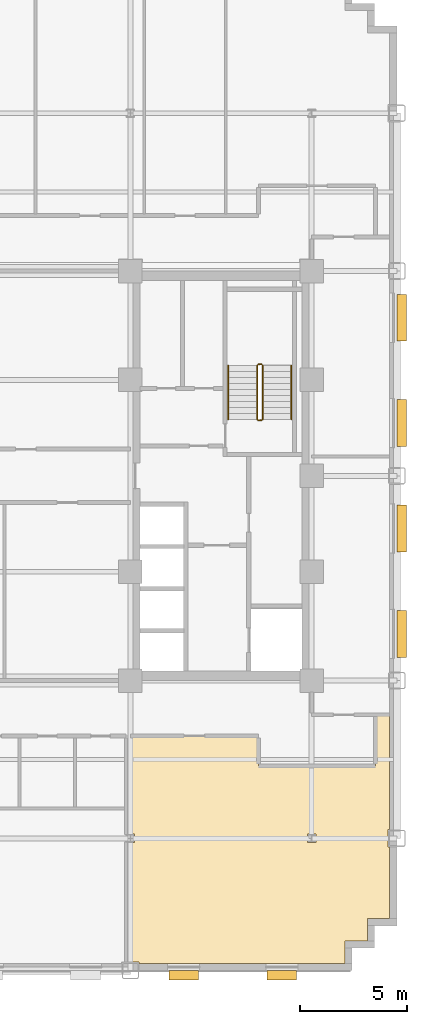
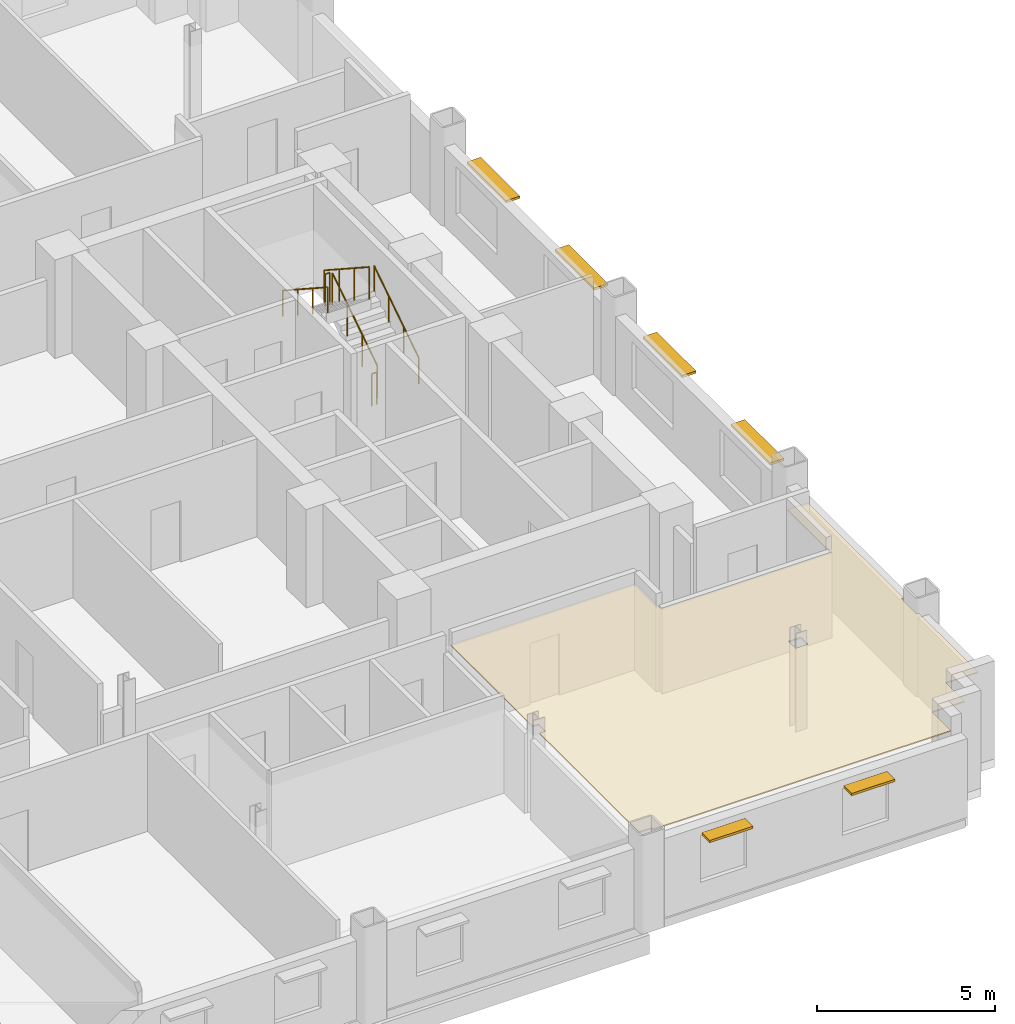
# One storey, part 13 of 14: 6 railings, 6 shading devices, 1 covering.
"""IFC4 building model written with IfcOpenShell, lengths in metres."""

from ifc_helpers import new_model, si_unit, direction, frame, origin, origin_2d, place, context, subcontext, project, spatial, polyline, rectangle, circle, outline, extrude, source, transform, mapped, material, layer, layer_set, type_object, type_shapes, element, save


model = new_model("IFC4")

# Units and contexts
model_context = context("Model", 3, precision=1e-05, world=origin(), true_north=direction((0.0, 1.0)))
body_context = subcontext(model_context, "Body", "Model", "MODEL_VIEW")
ifc_project = project(units=[si_unit("LENGTHUNIT", "METRE"), si_unit("AREAUNIT", "SQUARE_METRE"), si_unit("VOLUMEUNIT", "CUBIC_METRE"), si_unit("PLANEANGLEUNIT", "RADIAN"), si_unit("MASSUNIT", "GRAM", prefix="KILO")], contexts=[model_context])

# Site, building, storey
site_placement = place(None, origin())
site = spatial("IfcSite", under=ifc_project, at=site_placement, CompositionType="ELEMENT")
building_placement = place(site_placement, origin())
building = spatial("IfcBuilding", under=site, at=building_placement, Name="Nuvemarco Arch Tower", CompositionType="ELEMENT")
storey_placement = place(building_placement, frame((0.0, 0.0, 67.75)))
storey = spatial("IfcBuildingStorey", under=building, at=storey_placement, Name="L17", CompositionType="ELEMENT", Elevation=67.75)

# Covering
ifc_material_1 = material(Name="Mineral acoustic ceiling tile")
ifc_layer = layer(ifc_material_1, 0.0400390625, Name="COV-ACOUSTIC-CLG")
ifc_layer_set = layer_set([ifc_layer], Name="Mineral acoustic ceiling tile")
covering_type = type_object("IfcCoveringType", Name="COV-ACOUSTIC-CLG", PredefinedType="CEILING", material=ifc_layer_set)
covering_placement = place(storey_placement, frame((0.0, 0.0, 2.85009765625)))
element("IfcCovering", 1, at=covering_placement, inside=storey, type_object=covering_type, Name="L17 suspended acoustic ceiling 1", PredefinedType="CEILING", context=body_context, shape_type="SweptSolid", body=[
    extrude(outline(polyline([(19.06005859375, -22.860107421875), (9.4150390625, -22.860107421875), (9.4150390625, -22.784912109375), (9.0, -22.784912109375), (9.0, -17.195068359375), (9.195068359375, -17.195068359375), (9.195068359375, -16.804931640625), (9.0, -16.804931640625), (9.0, -12.199951171875), (15.0, -12.199951171875), (15.0, -13.60009765625), (20.5, -13.60009765625), (20.5, -11.199951171875), (21.159912109375, -11.199951171875), (21.159912109375, -16.5849609375), (21.0849609375, -16.5849609375), (21.0849609375, -17.4150390625), (21.159912109375, -17.4150390625), (21.159912109375, -20.760009765625), (20.110107421875, -20.760009765625), (20.110107421875, -21.81005859375), (19.06005859375, -21.81005859375), (19.06005859375, -22.860107421875)]), holes=[polyline([(17.695068359375, -17.195068359375), (17.695068359375, -16.804931640625), (17.304931640625, -16.804931640625), (17.304931640625, -17.195068359375), (17.695068359375, -17.195068359375)])]), origin(), (0.0, 0.0, 1.0), 0.039794921875),
])

# Railings
ifc_material_2 = material(Name="Brushed stainless steel handrail", Category="steel")
railing_type_1 = type_object("IfcRailingType", Name="RL-HANDRAIL-900", PredefinedType="HANDRAIL", material=ifc_material_2)
railing_1_placement = place(storey_placement, frame((16.550048828125, 2.64990234375, 0.1826171875)))
element("IfcRailing", 2, at=railing_1_placement, inside=storey, type_object=railing_type_1, Name="L17 ST-2 stair handrail 1", PredefinedType="HANDRAIL", context=body_context, shape_type="SweptSolid", body=[
    extrude(circle(Radius=0.02392578125, at=origin_2d()), frame((0.0, 0.0, 0.8759765625), z_axis=(0.0, 0.837786554691, 0.545997883492), x_axis=(-1.0, 0.0, 0.0)), (0.0, 0.0, 1.0), 3.008056640625),
    extrude(circle(Radius=0.02099609375, at=origin_2d()), origin(), (0.0, 0.0, 1.0), 0.851806640625),
    extrude(circle(Radius=0.02099609375, at=origin_2d()), frame((0.0, 0.840087890625, 0.54736328125)), (0.0, 0.0, 1.0), 0.851806640625),
    extrude(circle(Radius=0.02099609375, at=origin_2d()), frame((0.0, 1.679931640625, 1.094970703125)), (0.0, 0.0, 1.0), 0.851806640625),
    extrude(circle(Radius=0.02099609375, at=origin_2d()), frame((0.0, 2.52001953125, 1.642333984375)), (0.0, 0.0, 1.0), 0.851806640625),
])
railing_2_placement = place(storey_placement, frame((13.590087890625, 5.169921875, 2.007568359375)))
element("IfcRailing", 3, at=railing_2_placement, inside=storey, type_object=railing_type_1, Name="L17 ST-2 stair handrail 2", PredefinedType="HANDRAIL", context=body_context, shape_type="SweptSolid", body=[
    extrude(circle(Radius=0.02392578125, at=origin_2d()), frame((0.0, 0.0, 0.8759765625), z_axis=(0.0, -0.837786554691, 0.545997883492), x_axis=(1.0, 0.0, 0.0)), (0.0, 0.0, 1.0), 3.008056640625),
    extrude(circle(Radius=0.02099609375, at=origin_2d()), origin(), (0.0, 0.0, 1.0), 0.851806640625),
    extrude(circle(Radius=0.02099609375, at=origin_2d()), frame((0.0, -0.840087890625, 0.54736328125)), (0.0, 0.0, 1.0), 0.851806640625),
    extrude(circle(Radius=0.02099609375, at=origin_2d()), frame((0.0, -1.679931640625, 1.094970703125)), (0.0, 0.0, 1.0), 0.851806640625),
    extrude(circle(Radius=0.02099609375, at=origin_2d()), frame((0.0, -2.52001953125, 1.642333984375)), (0.0, 0.0, 1.0), 0.851806640625),
])
ifc_material_3 = material(Name="Painted balustrade steel S355", Category="steel")
railing_type_2 = type_object("IfcRailingType", Name="RL-STAIR-GUARD", PredefinedType="GUARDRAIL", material=ifc_material_3)
railing_3_placement = place(storey_placement, frame((15.199951171875, 2.64990234375, 0.1826171875)))
element("IfcRailing", 4, at=railing_3_placement, inside=storey, type_object=railing_type_2, Name="L17 ST-2 stair guard 1", PredefinedType="GUARDRAIL", context=body_context, shape_type="SweptSolid", body=[
    extrude(circle(Radius=0.02392578125, at=origin_2d()), frame((0.0, 0.0, 1.09619140625), z_axis=(0.0, 0.837786554691, 0.545997883492), x_axis=(-1.0, 0.0, 0.0)), (0.0, 0.0, 1.0), 3.008056640625),
    extrude(circle(Radius=0.02099609375, at=origin_2d()), origin(), (0.0, 0.0, 1.0), 1.072021484375),
    extrude(circle(Radius=0.02099609375, at=origin_2d()), frame((0.0, 0.840087890625, 0.54736328125)), (0.0, 0.0, 1.0), 1.072021484375),
    extrude(circle(Radius=0.02099609375, at=origin_2d()), frame((0.0, 1.679931640625, 1.094970703125)), (0.0, 0.0, 1.0), 1.072021484375),
    extrude(circle(Radius=0.02099609375, at=origin_2d()), frame((0.0, 2.52001953125, 1.642333984375)), (0.0, 0.0, 1.0), 1.072021484375),
])
railing_4_placement = place(storey_placement, frame((15.14990234375, 5.219970703125, 1.824951171875)))
element("IfcRailing", 5, at=railing_4_placement, inside=storey, type_object=railing_type_2, Name="L17 ST-2 stair guard 2", PredefinedType="GUARDRAIL", context=body_context, shape_type="SweptSolid", body=[
    extrude(circle(Radius=0.02392578125, at=origin_2d()), frame((0.0, 0.0, 1.09619140625), z_axis=(-1.0, 0.0, 0.0), x_axis=(0.0, -1.0, 0.0)), (0.0, 0.0, 1.0), 0.159912109375),
    extrude(circle(Radius=0.02099609375, at=origin_2d()), origin(), (0.0, 0.0, 1.0), 1.072021484375),
    extrude(circle(Radius=0.02099609375, at=origin_2d()), frame((-0.159912109375, 0.0, 0.0)), (0.0, 0.0, 1.0), 1.072021484375),
])
railing_5_placement = place(storey_placement, frame((14.93994140625, 5.169921875, 2.007568359375)))
element("IfcRailing", 6, at=railing_5_placement, inside=storey, type_object=railing_type_2, Name="L17 ST-2 stair guard 3", PredefinedType="GUARDRAIL", context=body_context, shape_type="SweptSolid", body=[
    extrude(circle(Radius=0.02392578125, at=origin_2d()), frame((0.0, 0.0, 1.09619140625), z_axis=(0.0, -0.837786554691, 0.545997883492), x_axis=(1.0, 0.0, 0.0)), (0.0, 0.0, 1.0), 3.008056640625),
    extrude(circle(Radius=0.02099609375, at=origin_2d()), origin(), (0.0, 0.0, 1.0), 1.072021484375),
    extrude(circle(Radius=0.02099609375, at=origin_2d()), frame((0.0, -0.840087890625, 0.54736328125)), (0.0, 0.0, 1.0), 1.072021484375),
    extrude(circle(Radius=0.02099609375, at=origin_2d()), frame((0.0, -1.679931640625, 1.094970703125)), (0.0, 0.0, 1.0), 1.072021484375),
    extrude(circle(Radius=0.02099609375, at=origin_2d()), frame((0.0, -2.52001953125, 1.642333984375)), (0.0, 0.0, 1.0), 1.072021484375),
])
railing_6_placement = place(storey_placement, frame((15.14990234375, 2.60009765625, 0.0)))
element("IfcRailing", 7, at=railing_6_placement, inside=storey, type_object=railing_type_2, Name="L17 ST-2 stair guard 4", PredefinedType="GUARDRAIL", context=body_context, shape_type="SweptSolid", body=[
    extrude(circle(Radius=0.02392578125, at=origin_2d()), frame((0.0, 0.0, 1.09619140625), z_axis=(-1.0, 0.0, 0.0), x_axis=(0.0, -1.0, 0.0)), (0.0, 0.0, 1.0), 0.159912109375),
    extrude(circle(Radius=0.02099609375, at=origin_2d()), origin(), (0.0, 0.0, 1.0), 1.072021484375),
    extrude(circle(Radius=0.02099609375, at=origin_2d()), frame((-0.159912109375, 0.0, 0.0)), (0.0, 0.0, 1.0), 1.072021484375),
])

# Shading devices
ifc_material_4 = material(Name="Anodised aluminium 6063-T6", Category="aluminium")
shading_device_type_1 = type_object("IfcShadingDeviceType", Name="SHD-BRISE-SOLEIL", PredefinedType="USERDEFINED", material=ifc_material_4)
shared_shape_1 = source(origin(), body_context, "Body", "SweptSolid", [
    extrude(rectangle(XDim=2.199951171875, YDim=0.449951171875, at=origin_2d()), origin(), (0.0, 0.0, 1.0), 0.080078125),
])
type_shapes(shading_device_type_1, [shared_shape_1])
for number, where, z_axis, x_axis, name in (
    (8, (21.715087890625, -7.41162109375, 2.425048828125), (0.0, 0.0, 1.0), (0.0, 1.0, 0.0), "L17 horizontal brise-soleil sunshade"),
    (9, (21.715087890625, -2.470458984375, 2.425048828125), (0.0, 0.0, 1.0), (0.0, 1.0, 0.0), "L17 horizontal brise-soleil sunshade"),
    (10, (21.715087890625, 2.470458984375, 2.425048828125), (0.0, 0.0, 1.0), (0.0, 1.0, 0.0), "L17 horizontal brise-soleil sunshade"),
    (11, (21.715087890625, 7.41162109375, 2.425048828125), (0.0, 0.0, 1.0), (0.0, 1.0, 0.0), "L17 horizontal brise-soleil sunshade"),
):
    element("IfcShadingDevice", number, at=place(storey_placement, frame(where, z_axis=z_axis, x_axis=x_axis)), inside=storey, type_object=shading_device_type_1, Name=name, ObjectType="SUNSHADE", PredefinedType="USERDEFINED", context=body_context, shape_type="MappedRepresentation", body=[
        mapped(shared_shape_1, transform((0.0, 0.0, 0.0), scale=1.0)),
    ])
shading_device_type_2 = type_object("IfcShadingDeviceType", Name="SHD-BRISE-NARROW", PredefinedType="USERDEFINED", material=ifc_material_4)
shared_shape_2 = source(origin(), body_context, "Body", "SweptSolid", [
    extrude(rectangle(XDim=1.39990234375, YDim=0.449951171875, at=origin_2d()), origin(), (0.0, 0.0, 1.0), 0.080078125),
])
type_shapes(shading_device_type_2, [shared_shape_2])
for number, where, z_axis, x_axis, name in (
    (12, (11.5, -23.4150390625, 2.405029296875), (0.0, 0.0, 1.0), (1.0, 0.0, 0.0), "L17 horizontal brise-soleil sunshade"),
    (13, (16.10009765625, -23.4150390625, 2.405029296875), (0.0, 0.0, 1.0), (1.0, 0.0, 0.0), "L17 horizontal brise-soleil sunshade"),
):
    element("IfcShadingDevice", number, at=place(storey_placement, frame(where, z_axis=z_axis, x_axis=x_axis)), inside=storey, type_object=shading_device_type_2, Name=name, ObjectType="SUNSHADE", PredefinedType="USERDEFINED", context=body_context, shape_type="MappedRepresentation", body=[
        mapped(shared_shape_2, transform((0.0, 0.0, 0.0), scale=1.0)),
    ])

save(model, "model.ifc")
